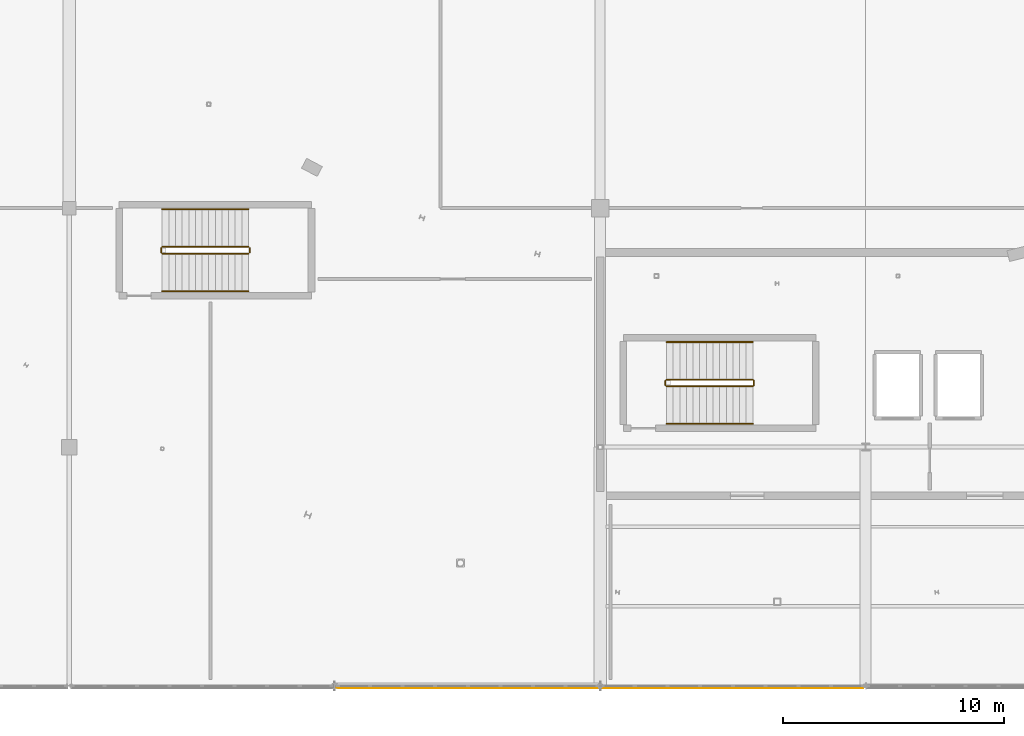
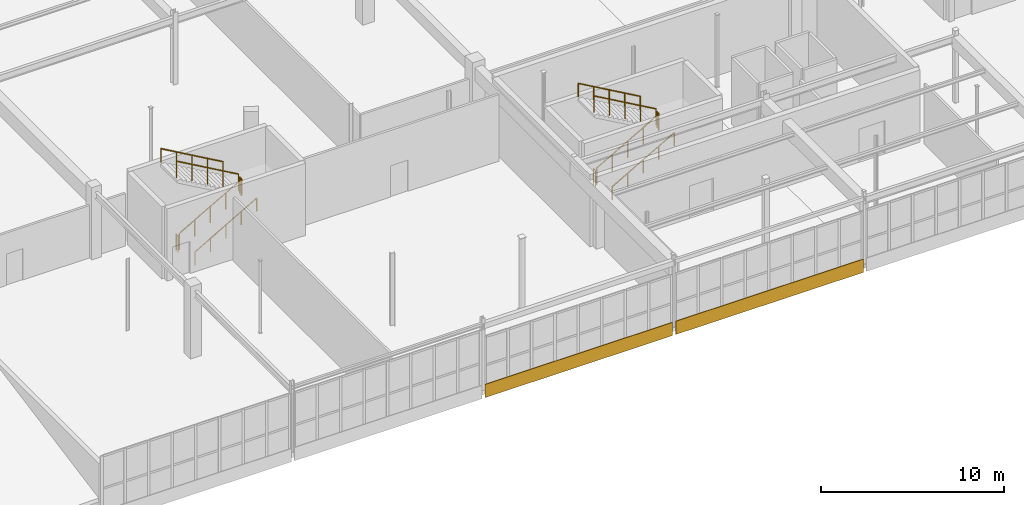
# One storey, part 203 of 226: 12 railings, 2 coverings.
"""IFC4 building model written with IfcOpenShell, lengths in metres."""

from ifc_helpers import new_model, si_unit, direction, frame, origin, origin_2d, place, context, subcontext, project, spatial, rectangle, circle, extrude, material, layer, layer_set, type_object, element, save


model = new_model("IFC4")

# Units and contexts
model_context = context("Model", 3, precision=1e-05, world=origin(), true_north=direction((0.0, 1.0)))
body_context = subcontext(model_context, "Body", "Model", "MODEL_VIEW")
ifc_project = project(units=[si_unit("LENGTHUNIT", "METRE"), si_unit("AREAUNIT", "SQUARE_METRE"), si_unit("VOLUMEUNIT", "CUBIC_METRE"), si_unit("PLANEANGLEUNIT", "RADIAN"), si_unit("MASSUNIT", "GRAM", prefix="KILO")], contexts=[model_context])

# Site, building, storey
site_placement = place(None, origin())
site = spatial("IfcSite", under=ifc_project, at=site_placement, CompositionType="ELEMENT")
building_placement = place(site_placement, origin())
building = spatial("IfcBuilding", under=site, at=building_placement, Name="Tarnwether General Hospital", CompositionType="ELEMENT")
storey_placement = place(building_placement, frame((0.0, 0.0, 4.800048828125)))
storey = spatial("IfcBuildingStorey", under=building, at=storey_placement, Name="L01", CompositionType="ELEMENT", Elevation=4.800048828125)

# Coverings
ifc_material_1 = material(Name="Folded zinc-titanium cladding")
ifc_layer = layer(ifc_material_1, 0.0400390625)
ifc_layer_set = layer_set([ifc_layer], Name="Folded zinc-titanium cladding")
covering_type = type_object("IfcCoveringType", Name="CV-CLD-ZNC", PredefinedType="CLADDING", material=ifc_layer_set)
for number, where, z_axis, x_axis, name in (
    (1, (78.0, -0.090087890625, -0.52001953125), (0.0, 0.0, 1.0), (1.0, 0.0, 0.0), "Diagnostic Base Faceted Zinc Spandrel 065"),
    (2, (90.0, -0.090087890625, -0.52001953125), (0.0, 0.0, 1.0), (1.0, 0.0, 0.0), "Diagnostic Base Faceted Zinc Spandrel 066"),
):
    element("IfcCovering", number, at=place(storey_placement, frame(where, z_axis=z_axis, x_axis=x_axis)), inside=storey, type_object=covering_type, Name=name, PredefinedType="CLADDING", context=body_context, shape_type="SweptSolid", body=[
        extrude(rectangle(XDim=11.800048828125, YDim=0.0400390625, at=origin_2d()), origin(), (0.0, 0.0, 1.0), 0.8798828125),
    ])

# Railings
ifc_material_2 = material(Name="Anodised aluminium", Category="aluminium")
railing_type_1 = type_object("IfcRailingType", Name="RL-GRD-INT", PredefinedType="GUARDRAIL", material=ifc_material_2)
railing_1_placement = place(storey_placement, frame((87.0, 13.550048828125, 0.17138671875)))
element("IfcRailing", 3, at=railing_1_placement, inside=storey, type_object=railing_type_1, Name="L01 ST-02 stair guard 1", PredefinedType="GUARDRAIL", context=body_context, shape_type="SweptSolid", body=[
    extrude(circle(Radius=0.02392578125, at=origin_2d()), frame((0.0, 0.0, 1.076171875), z_axis=(0.868243142124, 0.0, 0.496138938357), x_axis=(0.0, 1.0, 0.0)), (0.0, 0.0, 1.0), 4.49169921875),
    extrude(circle(Radius=0.02099609375, at=origin_2d()), origin(), (0.0, 0.0, 1.0), 1.052001953125),
    extrude(circle(Radius=0.02099609375, at=origin_2d()), frame((0.97509765625, 0.0, 0.55712890625)), (0.0, 0.0, 1.0), 1.052001953125),
    extrude(circle(Radius=0.02099609375, at=origin_2d()), frame((1.949951171875, 0.0, 1.1142578125)), (0.0, 0.0, 1.0), 1.052001953125),
    extrude(circle(Radius=0.02099609375, at=origin_2d()), frame((2.9248046875, 0.0, 1.67138671875)), (0.0, 0.0, 1.0), 1.052001953125),
    extrude(circle(Radius=0.02099609375, at=origin_2d()), frame((3.89990234375, 0.0, 2.228515625)), (0.0, 0.0, 1.0), 1.052001953125),
])
railing_2_placement = place(storey_placement, frame((90.949951171875, 13.60009765625, 2.39990234375)))
element("IfcRailing", 4, at=railing_2_placement, inside=storey, type_object=railing_type_1, Name="L01 ST-02 stair guard 2", PredefinedType="GUARDRAIL", context=body_context, shape_type="SweptSolid", body=[
    extrude(circle(Radius=0.02392578125, at=origin_2d()), frame((0.0, 0.0, 1.076171875), z_axis=(0.0, 1.0, 0.0), x_axis=(-1.0, 0.0, 0.0)), (0.0, 0.0, 1.0), 0.199951171875),
    extrude(circle(Radius=0.02099609375, at=origin_2d()), origin(), (0.0, 0.0, 1.0), 1.052001953125),
    extrude(circle(Radius=0.02099609375, at=origin_2d()), frame((0.0, 0.199951171875, 0.0)), (0.0, 0.0, 1.0), 1.052001953125),
])
railing_3_placement = place(storey_placement, frame((90.89990234375, 13.85009765625, 2.5712890625)))
element("IfcRailing", 5, at=railing_3_placement, inside=storey, type_object=railing_type_1, Name="L01 ST-02 stair guard 3", PredefinedType="GUARDRAIL", context=body_context, shape_type="SweptSolid", body=[
    extrude(circle(Radius=0.02392578125, at=origin_2d()), frame((0.0, 0.0, 1.076171875), z_axis=(-0.868219727965, 0.0, 0.496179910892), x_axis=(0.0, -1.0, 0.0)), (0.0, 0.0, 1.0), 4.491943359375),
    extrude(circle(Radius=0.02099609375, at=origin_2d()), origin(), (0.0, 0.0, 1.0), 1.052001953125),
    extrude(circle(Radius=0.02099609375, at=origin_2d()), frame((-0.97509765625, 0.0, 0.55712890625)), (0.0, 0.0, 1.0), 1.052001953125),
    extrude(circle(Radius=0.02099609375, at=origin_2d()), frame((-1.949951171875, 0.0, 1.1142578125)), (0.0, 0.0, 1.0), 1.052001953125),
    extrude(circle(Radius=0.02099609375, at=origin_2d()), frame((-2.9248046875, 0.0, 1.671630859375)), (0.0, 0.0, 1.0), 1.052001953125),
    extrude(circle(Radius=0.02099609375, at=origin_2d()), frame((-3.89990234375, 0.0, 2.228759765625)), (0.0, 0.0, 1.0), 1.052001953125),
])
railing_4_placement = place(storey_placement, frame((86.949951171875, 13.60009765625, 0.0)))
element("IfcRailing", 6, at=railing_4_placement, inside=storey, type_object=railing_type_1, Name="L01 ST-02 stair guard 4", PredefinedType="GUARDRAIL", context=body_context, shape_type="SweptSolid", body=[
    extrude(circle(Radius=0.02392578125, at=origin_2d()), frame((0.0, 0.0, 1.076171875), z_axis=(0.0, 1.0, 0.0), x_axis=(-1.0, 0.0, 0.0)), (0.0, 0.0, 1.0), 0.199951171875),
    extrude(circle(Radius=0.02099609375, at=origin_2d()), origin(), (0.0, 0.0, 1.0), 1.052001953125),
    extrude(circle(Radius=0.02099609375, at=origin_2d()), frame((0.0, 0.199951171875, 0.0)), (0.0, 0.0, 1.0), 1.052001953125),
])
railing_5_placement = place(storey_placement, frame((64.199951171875, 19.550048828125, 0.17138671875)))
element("IfcRailing", 7, at=railing_5_placement, inside=storey, type_object=railing_type_1, Name="L01 ST-09 stair guard 1", PredefinedType="GUARDRAIL", context=body_context, shape_type="SweptSolid", body=[
    extrude(circle(Radius=0.02392578125, at=origin_2d()), frame((0.0, 0.0, 1.076171875), z_axis=(0.868256520506, 0.0, 0.496115525457), x_axis=(0.0, 1.0, 0.0)), (0.0, 0.0, 1.0), 4.491943359375),
    extrude(circle(Radius=0.02099609375, at=origin_2d()), origin(), (0.0, 0.0, 1.0), 1.052001953125),
    extrude(circle(Radius=0.02099609375, at=origin_2d()), frame((0.97509765625, 0.0, 0.55712890625)), (0.0, 0.0, 1.0), 1.052001953125),
    extrude(circle(Radius=0.02099609375, at=origin_2d()), frame((1.9501953125, 0.0, 1.1142578125)), (0.0, 0.0, 1.0), 1.052001953125),
    extrude(circle(Radius=0.02099609375, at=origin_2d()), frame((2.925048828125, 0.0, 1.67138671875)), (0.0, 0.0, 1.0), 1.052001953125),
    extrude(circle(Radius=0.02099609375, at=origin_2d()), frame((3.900146484375, 0.0, 2.228515625)), (0.0, 0.0, 1.0), 1.052001953125),
])
railing_6_placement = place(storey_placement, frame((68.14990234375, 19.60009765625, 2.39990234375)))
element("IfcRailing", 8, at=railing_6_placement, inside=storey, type_object=railing_type_1, Name="L01 ST-09 stair guard 2", PredefinedType="GUARDRAIL", context=body_context, shape_type="SweptSolid", body=[
    extrude(circle(Radius=0.02392578125, at=origin_2d()), frame((0.0, 0.0, 1.076171875), z_axis=(0.0, 1.0, 0.0), x_axis=(-1.0, 0.0, 0.0)), (0.0, 0.0, 1.0), 0.199951171875),
    extrude(circle(Radius=0.02099609375, at=origin_2d()), origin(), (0.0, 0.0, 1.0), 1.052001953125),
    extrude(circle(Radius=0.02099609375, at=origin_2d()), frame((0.0, 0.199951171875, 0.0)), (0.0, 0.0, 1.0), 1.052001953125),
])
railing_7_placement = place(storey_placement, frame((68.10009765625, 19.85009765625, 2.5712890625)))
element("IfcRailing", 9, at=railing_7_placement, inside=storey, type_object=railing_type_1, Name="L01 ST-09 stair guard 3", PredefinedType="GUARDRAIL", context=body_context, shape_type="SweptSolid", body=[
    extrude(circle(Radius=0.02392578125, at=origin_2d()), frame((0.0, 0.0, 1.076171875), z_axis=(-0.868233108195, 0.0, 0.496156497321), x_axis=(0.0, -1.0, 0.0)), (0.0, 0.0, 1.0), 4.491943359375),
    extrude(circle(Radius=0.02099609375, at=origin_2d()), origin(), (0.0, 0.0, 1.0), 1.052001953125),
    extrude(circle(Radius=0.02099609375, at=origin_2d()), frame((-0.97509765625, 0.0, 0.55712890625)), (0.0, 0.0, 1.0), 1.052001953125),
    extrude(circle(Radius=0.02099609375, at=origin_2d()), frame((-1.9501953125, 0.0, 1.1142578125)), (0.0, 0.0, 1.0), 1.052001953125),
    extrude(circle(Radius=0.02099609375, at=origin_2d()), frame((-2.925048828125, 0.0, 1.671630859375)), (0.0, 0.0, 1.0), 1.052001953125),
    extrude(circle(Radius=0.02099609375, at=origin_2d()), frame((-3.900146484375, 0.0, 2.228759765625)), (0.0, 0.0, 1.0), 1.052001953125),
])
railing_8_placement = place(storey_placement, frame((64.14990234375, 19.60009765625, 0.0)))
element("IfcRailing", 10, at=railing_8_placement, inside=storey, type_object=railing_type_1, Name="L01 ST-09 stair guard 4", PredefinedType="GUARDRAIL", context=body_context, shape_type="SweptSolid", body=[
    extrude(circle(Radius=0.02392578125, at=origin_2d()), frame((0.0, 0.0, 1.076171875), z_axis=(0.0, 1.0, 0.0), x_axis=(-1.0, 0.0, 0.0)), (0.0, 0.0, 1.0), 0.199951171875),
    extrude(circle(Radius=0.02099609375, at=origin_2d()), origin(), (0.0, 0.0, 1.0), 1.052001953125),
    extrude(circle(Radius=0.02099609375, at=origin_2d()), frame((0.0, 0.199951171875, 0.0)), (0.0, 0.0, 1.0), 1.052001953125),
])
ifc_material_3 = material(Name="Anodised aluminium", Category="aluminium")
railing_type_2 = type_object("IfcRailingType", Name="RL-HND-INT", PredefinedType="HANDRAIL", material=ifc_material_3)
railing_9_placement = place(storey_placement, frame((87.0, 11.85009765625, 0.17138671875)))
element("IfcRailing", 11, at=railing_9_placement, inside=storey, type_object=railing_type_2, Name="L01 ST-02 stair handrail 1", PredefinedType="HANDRAIL", context=body_context, shape_type="SweptSolid", body=[
    extrude(circle(Radius=0.02392578125, at=origin_2d()), frame((0.0, 0.0, 0.8759765625), z_axis=(0.868243142124, 0.0, 0.496138938357), x_axis=(0.0, 1.0, 0.0)), (0.0, 0.0, 1.0), 4.49169921875),
    extrude(circle(Radius=0.02099609375, at=origin_2d()), origin(), (0.0, 0.0, 1.0), 0.851806640625),
    extrude(circle(Radius=0.02099609375, at=origin_2d()), frame((0.97509765625, 0.0, 0.55712890625)), (0.0, 0.0, 1.0), 0.851806640625),
    extrude(circle(Radius=0.02099609375, at=origin_2d()), frame((1.949951171875, 0.0, 1.1142578125)), (0.0, 0.0, 1.0), 0.851806640625),
    extrude(circle(Radius=0.02099609375, at=origin_2d()), frame((2.9248046875, 0.0, 1.67138671875)), (0.0, 0.0, 1.0), 0.851806640625),
    extrude(circle(Radius=0.02099609375, at=origin_2d()), frame((3.89990234375, 0.0, 2.228515625)), (0.0, 0.0, 1.0), 0.851806640625),
])
railing_10_placement = place(storey_placement, frame((90.89990234375, 15.550048828125, 2.5712890625)))
element("IfcRailing", 12, at=railing_10_placement, inside=storey, type_object=railing_type_2, Name="L01 ST-02 stair handrail 2", PredefinedType="HANDRAIL", context=body_context, shape_type="SweptSolid", body=[
    extrude(circle(Radius=0.02392578125, at=origin_2d()), frame((0.0, 0.0, 0.8759765625), z_axis=(-0.868219727965, 0.0, 0.496179910892), x_axis=(0.0, -1.0, 0.0)), (0.0, 0.0, 1.0), 4.491943359375),
    extrude(circle(Radius=0.02099609375, at=origin_2d()), origin(), (0.0, 0.0, 1.0), 0.851806640625),
    extrude(circle(Radius=0.02099609375, at=origin_2d()), frame((-0.97509765625, 0.0, 0.55712890625)), (0.0, 0.0, 1.0), 0.851806640625),
    extrude(circle(Radius=0.02099609375, at=origin_2d()), frame((-1.949951171875, 0.0, 1.1142578125)), (0.0, 0.0, 1.0), 0.851806640625),
    extrude(circle(Radius=0.02099609375, at=origin_2d()), frame((-2.9248046875, 0.0, 1.671630859375)), (0.0, 0.0, 1.0), 0.851806640625),
    extrude(circle(Radius=0.02099609375, at=origin_2d()), frame((-3.89990234375, 0.0, 2.228759765625)), (0.0, 0.0, 1.0), 0.851806640625),
])
railing_11_placement = place(storey_placement, frame((64.199951171875, 17.85009765625, 0.17138671875)))
element("IfcRailing", 13, at=railing_11_placement, inside=storey, type_object=railing_type_2, Name="L01 ST-09 stair handrail 1", PredefinedType="HANDRAIL", context=body_context, shape_type="SweptSolid", body=[
    extrude(circle(Radius=0.02392578125, at=origin_2d()), frame((0.0, 0.0, 0.8759765625), z_axis=(0.868256520506, 0.0, 0.496115525457), x_axis=(0.0, 1.0, 0.0)), (0.0, 0.0, 1.0), 4.491943359375),
    extrude(circle(Radius=0.02099609375, at=origin_2d()), origin(), (0.0, 0.0, 1.0), 0.851806640625),
    extrude(circle(Radius=0.02099609375, at=origin_2d()), frame((0.97509765625, 0.0, 0.55712890625)), (0.0, 0.0, 1.0), 0.851806640625),
    extrude(circle(Radius=0.02099609375, at=origin_2d()), frame((1.9501953125, 0.0, 1.1142578125)), (0.0, 0.0, 1.0), 0.851806640625),
    extrude(circle(Radius=0.02099609375, at=origin_2d()), frame((2.925048828125, 0.0, 1.67138671875)), (0.0, 0.0, 1.0), 0.851806640625),
    extrude(circle(Radius=0.02099609375, at=origin_2d()), frame((3.900146484375, 0.0, 2.228515625)), (0.0, 0.0, 1.0), 0.851806640625),
])
railing_12_placement = place(storey_placement, frame((68.10009765625, 21.550048828125, 2.5712890625)))
element("IfcRailing", 14, at=railing_12_placement, inside=storey, type_object=railing_type_2, Name="L01 ST-09 stair handrail 2", PredefinedType="HANDRAIL", context=body_context, shape_type="SweptSolid", body=[
    extrude(circle(Radius=0.02392578125, at=origin_2d()), frame((0.0, 0.0, 0.8759765625), z_axis=(-0.868233108195, 0.0, 0.496156497321), x_axis=(0.0, -1.0, 0.0)), (0.0, 0.0, 1.0), 4.491943359375),
    extrude(circle(Radius=0.02099609375, at=origin_2d()), origin(), (0.0, 0.0, 1.0), 0.851806640625),
    extrude(circle(Radius=0.02099609375, at=origin_2d()), frame((-0.97509765625, 0.0, 0.55712890625)), (0.0, 0.0, 1.0), 0.851806640625),
    extrude(circle(Radius=0.02099609375, at=origin_2d()), frame((-1.9501953125, 0.0, 1.1142578125)), (0.0, 0.0, 1.0), 0.851806640625),
    extrude(circle(Radius=0.02099609375, at=origin_2d()), frame((-2.925048828125, 0.0, 1.671630859375)), (0.0, 0.0, 1.0), 0.851806640625),
    extrude(circle(Radius=0.02099609375, at=origin_2d()), frame((-3.900146484375, 0.0, 2.228759765625)), (0.0, 0.0, 1.0), 0.851806640625),
])

save(model, "model.ifc")
